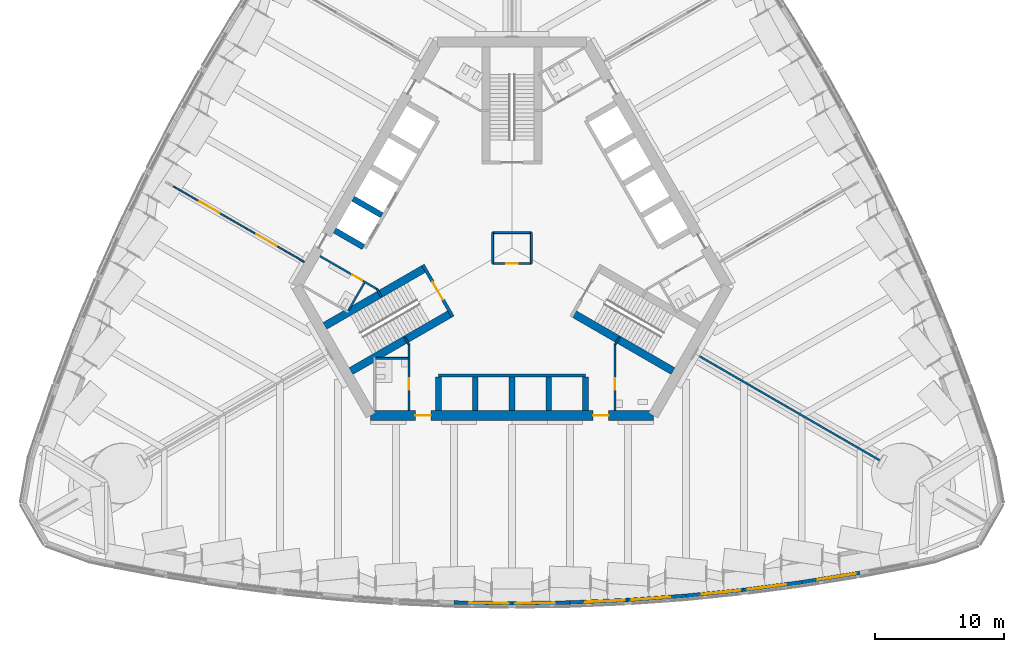
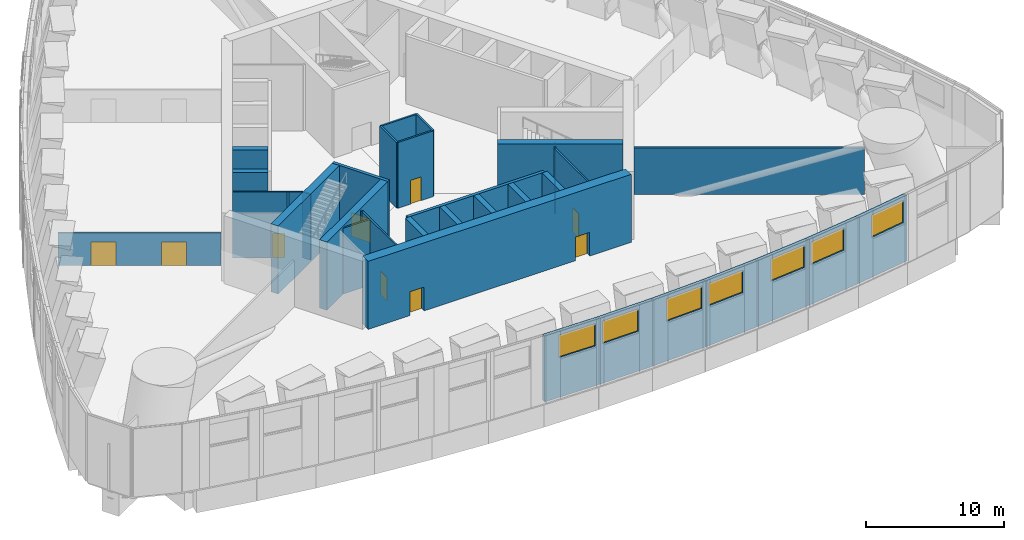
# One storey, part 8 of 28: 34 walls, 9 doors, 7 windows, 16 openings.
"""IFC4 building model written with IfcOpenShell, lengths in metres."""

from ifc_helpers import new_model, si_unit, direction, frame, frame_2d, origin, place, context, subcontext, project, spatial, rectangle, extrude, material, layer, layer_set, type_object, element, fill, save


model = new_model("IFC4")

# Units and contexts
model_context = context("Model", 3, precision=1e-05, world=origin(), true_north=direction((0.0, 1.0)))
body_context = subcontext(model_context, "Body", "Model", "MODEL_VIEW")
ifc_project = project(units=[si_unit("LENGTHUNIT", "METRE"), si_unit("AREAUNIT", "SQUARE_METRE"), si_unit("VOLUMEUNIT", "CUBIC_METRE"), si_unit("PLANEANGLEUNIT", "RADIAN"), si_unit("MASSUNIT", "GRAM", prefix="KILO")], contexts=[model_context])

# Site, building, storey
site_placement = place(None, origin())
site = spatial("IfcSite", under=ifc_project, at=site_placement, CompositionType="ELEMENT")
building_placement = place(site_placement, origin())
building = spatial("IfcBuilding", under=site, at=building_placement, Name="Trefoil Bronze Tower", CompositionType="ELEMENT")
storey_placement = place(building_placement, frame((0.0, 0.0, 92.10009765625)))
storey = spatial("IfcBuildingStorey", under=building, at=storey_placement, Name="L21", CompositionType="ELEMENT", Elevation=92.10009765625)

# Wall, opening, window
ifc_material_1 = material(Name="Concrete B80", Category="concrete")
ifc_layer_1 = layer(ifc_material_1, 0.300048828125)
ifc_layer_set_1 = layer_set([ifc_layer_1], Name="Belt wall 300")
wall_type_1 = type_object("IfcWallType", Name="Belt wall 300", PredefinedType="SOLIDWALL", material=ifc_layer_set_1)
wall_1_placement = place(storey_placement, frame((-4.5, -27.533447265625, 0.0), z_axis=(0.0, 0.0, 1.0), x_axis=(0.999895099088, -0.014484157523, 0.0)))
wall_1 = element("IfcWall", 1, at=wall_1_placement, inside=storey, type_object=wall_type_1, Name="Belt wall T1.8", PredefinedType="SOLIDWALL", context=body_context, shape_type="SweptSolid", body=[
    extrude(rectangle(XDim=4.50048828125, YDim=0.300048828125, at=frame_2d((2.250244140625, 0.0))), origin(), (0.0, 0.0, 1.0), 5.7998046875),
])
opening_1_placement = place(wall_1_placement, frame((1.200439453125, 0.0, 3.5)))
opening_1 = element("IfcOpeningElement", 2, at=opening_1_placement, cuts=wall_1, Name="Opening LV1", PredefinedType="OPENING", context=body_context, shape_type="SweptSolid", body=[
    extrude(rectangle(XDim=3.0, YDim=2.0, at=frame_2d((1.5, 1.0))), frame((0.0, 0.159912109375, 0.0), z_axis=(0.0, -1.0, 0.0), x_axis=(1.0, 0.0, 0.0)), (0.0, 0.0, 1.0), 0.320068359375),
])
ifc_material_2 = material(Name="Bronze-finish aluminium louvre", Category="aluminium")
window_type = type_object("IfcWindowType", Name="Plant louvre 3000", PartitioningType="SINGLE_PANEL", PredefinedType="USERDEFINED", material=ifc_material_2)
window_1_placement = place(opening_1_placement, origin())
window_1 = element("IfcWindow", 3, at=window_1_placement, inside=storey, type_object=window_type, Name="Plant louvre L21 F1.8.1", ObjectType="LOUVRE", OverallHeight=2.0, OverallWidth=3.0, PartitioningType="SINGLE_PANEL", PredefinedType="USERDEFINED", context=body_context, shape_type="SweptSolid", body=[
    extrude(rectangle(XDim=3.0, YDim=2.0, at=frame_2d((1.5, 1.0))), frame((0.0, 0.030029296875, 0.0), z_axis=(0.0, -1.0, 0.0), x_axis=(1.0, 0.0, 0.0)), (0.0, 0.0, 1.0), 0.06005859375),
])
fill(opening_1, window_1)

wall_2_placement = place(storey_placement, frame((0.0, -27.5986328125, 0.0), z_axis=(0.0, 0.0, 1.0), x_axis=(0.999895099088, 0.014484157523, 0.0)))
wall_2 = element("IfcWall", 4, at=wall_2_placement, inside=storey, type_object=wall_type_1, Name="Belt wall T1.9", PredefinedType="SOLIDWALL", context=body_context, shape_type="SweptSolid", body=[
    extrude(rectangle(XDim=4.50048828125, YDim=0.300048828125, at=frame_2d((2.250244140625, 0.0))), origin(), (0.0, 0.0, 1.0), 5.7998046875),
])
opening_2_placement = place(wall_2_placement, frame((0.300048828125, 0.0, 3.5)))
opening_2 = element("IfcOpeningElement", 5, at=opening_2_placement, cuts=wall_2, Name="Opening LV1", PredefinedType="OPENING", context=body_context, shape_type="SweptSolid", body=[
    extrude(rectangle(XDim=3.0, YDim=2.0, at=frame_2d((1.5, 1.0))), frame((0.0, 0.159912109375, 0.0), z_axis=(0.0, -1.0, 0.0), x_axis=(1.0, 0.0, 0.0)), (0.0, 0.0, 1.0), 0.320068359375),
])
window_2_placement = place(opening_2_placement, origin())
window_2 = element("IfcWindow", 6, at=window_2_placement, inside=storey, type_object=window_type, Name="Plant louvre L21 F1.9.1", ObjectType="LOUVRE", OverallHeight=2.0, OverallWidth=3.0, PartitioningType="SINGLE_PANEL", PredefinedType="USERDEFINED", context=body_context, shape_type="SweptSolid", body=[
    extrude(rectangle(XDim=3.0, YDim=2.0, at=frame_2d((1.5, 1.0))), frame((0.0, 0.030029296875, 0.0), z_axis=(0.0, -1.0, 0.0), x_axis=(1.0, 0.0, 0.0)), (0.0, 0.0, 1.0), 0.06005859375),
])
fill(opening_2, window_2)

wall_3_placement = place(storey_placement, frame((4.5, -27.533447265625, 0.0), z_axis=(0.0, 0.0, 1.0), x_axis=(0.999052370647, 0.043524254212, 0.0)))
wall_3 = element("IfcWall", 7, at=wall_3_placement, inside=storey, type_object=wall_type_1, Name="Belt wall T1.10", PredefinedType="SOLIDWALL", context=body_context, shape_type="SweptSolid", body=[
    extrude(rectangle(XDim=4.504150390625, YDim=0.300048828125, at=frame_2d((2.251953125, 0.0))), origin(), (0.0, 0.0, 1.0), 5.7998046875),
])
opening_3_placement = place(wall_3_placement, frame((1.204345703125, 0.0, 3.5)))
opening_3 = element("IfcOpeningElement", 8, at=opening_3_placement, cuts=wall_3, Name="Opening LV1", PredefinedType="OPENING", context=body_context, shape_type="SweptSolid", body=[
    extrude(rectangle(XDim=3.0, YDim=2.0, at=frame_2d((1.5, 1.0))), frame((0.0, 0.159912109375, 0.0), z_axis=(0.0, -1.0, 0.0), x_axis=(1.0, 0.0, 0.0)), (0.0, 0.0, 1.0), 0.320068359375),
])
window_3_placement = place(opening_3_placement, origin())
window_3 = element("IfcWindow", 9, at=window_3_placement, inside=storey, type_object=window_type, Name="Plant louvre L21 F1.10.1", ObjectType="LOUVRE", OverallHeight=2.0, OverallWidth=3.0, PartitioningType="SINGLE_PANEL", PredefinedType="USERDEFINED", context=body_context, shape_type="SweptSolid", body=[
    extrude(rectangle(XDim=3.0, YDim=2.0, at=frame_2d((1.5, 1.0))), frame((0.0, 0.030029296875, 0.0), z_axis=(0.0, -1.0, 0.0), x_axis=(1.0, 0.0, 0.0)), (0.0, 0.0, 1.0), 0.06005859375),
])
fill(opening_3, window_3)

wall_4_placement = place(storey_placement, frame((9.0, -27.33740234375, 0.0), z_axis=(0.0, 0.0, 1.0), x_axis=(0.997363894896, 0.072562119306, 0.0)))
wall_4 = element("IfcWall", 10, at=wall_4_placement, inside=storey, type_object=wall_type_1, Name="Belt wall T1.11", PredefinedType="SOLIDWALL", context=body_context, shape_type="SweptSolid", body=[
    extrude(rectangle(XDim=4.511962890625, YDim=0.300048828125, at=frame_2d((2.255859375, 0.0))), origin(), (0.0, 0.0, 1.0), 5.7998046875),
])
opening_4_placement = place(wall_4_placement, frame((0.300048828125, 0.0, 3.5)))
opening_4 = element("IfcOpeningElement", 11, at=opening_4_placement, cuts=wall_4, Name="Opening LV1", PredefinedType="OPENING", context=body_context, shape_type="SweptSolid", body=[
    extrude(rectangle(XDim=3.0, YDim=2.0, at=frame_2d((1.5, 1.0))), frame((0.0, 0.159912109375, 0.0), z_axis=(0.0, -1.0, 0.0), x_axis=(1.0, 0.0, 0.0)), (0.0, 0.0, 1.0), 0.320068359375),
])
window_4_placement = place(opening_4_placement, origin())
window_4 = element("IfcWindow", 12, at=window_4_placement, inside=storey, type_object=window_type, Name="Plant louvre L21 F1.11.1", ObjectType="LOUVRE", OverallHeight=2.0, OverallWidth=3.0, PartitioningType="SINGLE_PANEL", PredefinedType="USERDEFINED", context=body_context, shape_type="SweptSolid", body=[
    extrude(rectangle(XDim=3.0, YDim=2.0, at=frame_2d((1.5, 1.0))), frame((0.0, 0.030029296875, 0.0), z_axis=(0.0, -1.0, 0.0), x_axis=(1.0, 0.0, 0.0)), (0.0, 0.0, 1.0), 0.06005859375),
])
fill(opening_4, window_4)

wall_5_placement = place(storey_placement, frame((13.5, -27.010009765625, 0.0), z_axis=(0.0, 0.0, 1.0), x_axis=(0.994827688697, 0.101576915697, 0.0)))
wall_5 = element("IfcWall", 13, at=wall_5_placement, inside=storey, type_object=wall_type_1, Name="Belt wall T1.12", PredefinedType="SOLIDWALL", context=body_context, shape_type="SweptSolid", body=[
    extrude(rectangle(XDim=4.5234375, YDim=0.300048828125, at=frame_2d((2.26171875, 0.0))), origin(), (0.0, 0.0, 1.0), 5.7998046875),
])
opening_5_placement = place(wall_5_placement, frame((1.223388671875, 0.0, 3.5)))
opening_5 = element("IfcOpeningElement", 14, at=opening_5_placement, cuts=wall_5, Name="Opening LV1", PredefinedType="OPENING", context=body_context, shape_type="SweptSolid", body=[
    extrude(rectangle(XDim=3.0, YDim=2.0, at=frame_2d((1.5, 1.0))), frame((0.0, 0.159912109375, 0.0), z_axis=(0.0, -1.0, 0.0), x_axis=(1.0, 0.0, 0.0)), (0.0, 0.0, 1.0), 0.320068359375),
])
window_5_placement = place(opening_5_placement, origin())
window_5 = element("IfcWindow", 15, at=window_5_placement, inside=storey, type_object=window_type, Name="Plant louvre L21 F1.12.1", ObjectType="LOUVRE", OverallHeight=2.0, OverallWidth=3.0, PartitioningType="SINGLE_PANEL", PredefinedType="USERDEFINED", context=body_context, shape_type="SweptSolid", body=[
    extrude(rectangle(XDim=3.0, YDim=2.0, at=frame_2d((1.5, 1.0))), frame((0.0, 0.030029296875, 0.0), z_axis=(0.0, -1.0, 0.0), x_axis=(1.0, 0.0, 0.0)), (0.0, 0.0, 1.0), 0.06005859375),
])
fill(opening_5, window_5)

wall_6_placement = place(storey_placement, frame((18.0, -26.550537109375, 0.0), z_axis=(0.0, 0.0, 1.0), x_axis=(0.991442207947, 0.130546345415, 0.0)))
wall_6 = element("IfcWall", 16, at=wall_6_placement, inside=storey, type_object=wall_type_1, Name="Belt wall T1.13", PredefinedType="SOLIDWALL", context=body_context, shape_type="SweptSolid", body=[
    extrude(rectangle(XDim=4.538818359375, YDim=0.300048828125, at=frame_2d((2.26953125, 0.0))), origin(), (0.0, 0.0, 1.0), 5.7998046875),
])
opening_6_placement = place(wall_6_placement, frame((0.300048828125, 0.0, 3.5)))
opening_6 = element("IfcOpeningElement", 17, at=opening_6_placement, cuts=wall_6, Name="Opening LV1", PredefinedType="OPENING", context=body_context, shape_type="SweptSolid", body=[
    extrude(rectangle(XDim=3.0, YDim=2.0, at=frame_2d((1.5, 1.0))), frame((0.0, 0.159912109375, 0.0), z_axis=(0.0, -1.0, 0.0), x_axis=(1.0, 0.0, 0.0)), (0.0, 0.0, 1.0), 0.320068359375),
])
window_6_placement = place(opening_6_placement, origin())
window_6 = element("IfcWindow", 18, at=window_6_placement, inside=storey, type_object=window_type, Name="Plant louvre L21 F1.13.1", ObjectType="LOUVRE", OverallHeight=2.0, OverallWidth=3.0, PartitioningType="SINGLE_PANEL", PredefinedType="USERDEFINED", context=body_context, shape_type="SweptSolid", body=[
    extrude(rectangle(XDim=3.0, YDim=2.0, at=frame_2d((1.5, 1.0))), frame((0.0, 0.030029296875, 0.0), z_axis=(0.0, -1.0, 0.0), x_axis=(1.0, 0.0, 0.0)), (0.0, 0.0, 1.0), 0.06005859375),
])
fill(opening_6, window_6)

wall_7_placement = place(storey_placement, frame((22.5, -25.9580078125, 0.0), z_axis=(0.0, 0.0, 1.0), x_axis=(0.987181300889, 0.159602879593, 0.0)))
wall_7 = element("IfcWall", 19, at=wall_7_placement, inside=storey, type_object=wall_type_1, Name="Belt wall T1.14", PredefinedType="SOLIDWALL", context=body_context, shape_type="SweptSolid", body=[
    extrude(rectangle(XDim=4.558349609375, YDim=0.300048828125, at=frame_2d((2.279296875, 0.0))), origin(), (0.0, 0.0, 1.0), 5.7998046875),
])
opening_7_placement = place(wall_7_placement, frame((1.258544921875, 0.0, 3.5)))
opening_7 = element("IfcOpeningElement", 20, at=opening_7_placement, cuts=wall_7, Name="Opening LV1", PredefinedType="OPENING", context=body_context, shape_type="SweptSolid", body=[
    extrude(rectangle(XDim=3.0, YDim=2.0, at=frame_2d((1.5, 1.0))), frame((0.0, 0.159912109375, 0.0), z_axis=(0.0, -1.0, 0.0), x_axis=(1.0, 0.0, 0.0)), (0.0, 0.0, 1.0), 0.320068359375),
])
window_7_placement = place(opening_7_placement, origin())
window_7 = element("IfcWindow", 21, at=window_7_placement, inside=storey, type_object=window_type, Name="Plant louvre L21 F1.14.1", ObjectType="LOUVRE", OverallHeight=2.0, OverallWidth=3.0, PartitioningType="SINGLE_PANEL", PredefinedType="USERDEFINED", context=body_context, shape_type="SweptSolid", body=[
    extrude(rectangle(XDim=3.0, YDim=2.0, at=frame_2d((1.5, 1.0))), frame((0.0, 0.030029296875, 0.0), z_axis=(0.0, -1.0, 0.0), x_axis=(1.0, 0.0, 0.0)), (0.0, 0.0, 1.0), 0.06005859375),
])
fill(opening_7, window_7)

# Wall, openings, doors
ifc_material_3 = material(Name="Concrete B80", Category="concrete")
ifc_layer_2 = layer(ifc_material_3, 0.800048828125)
ifc_layer_set_2 = layer_set([ifc_layer_2], Name="Core wall 800")
wall_type_2 = type_object("IfcWallType", Name="Core wall 800", PredefinedType="SHEAR", material=ifc_layer_set_2)
wall_8_placement = place(storey_placement, frame((-10.9697265625, -13.0, 0.0), z_axis=(0.0, 0.0, 1.0), x_axis=(1.0, 0.0, 0.0)))
wall_8 = element("IfcWall", 22, at=wall_8_placement, inside=storey, type_object=wall_type_2, Name="Core long wall 1 L21", PredefinedType="SHEAR", context=body_context, shape_type="SweptSolid", body=[
    extrude(rectangle(XDim=21.939453125, YDim=0.800048828125, at=frame_2d((10.9697265625, 0.0))), origin(), (0.0, 0.0, 1.0), 6.0),
])
opening_8_placement = place(wall_8_placement, frame((17.269775390625, 0.0, 0.0)))
opening_8 = element("IfcOpeningElement", 23, at=opening_8_placement, cuts=wall_8, Name="Opening D2", PredefinedType="OPENING", context=body_context, shape_type="SweptSolid", body=[
    extrude(rectangle(XDim=1.199951171875, YDim=2.10009765625, at=frame_2d((0.60009765625, 1.050048828125))), frame((0.0, 0.409912109375, 0.0), z_axis=(0.0, -1.0, 0.0), x_axis=(1.0, 0.0, 0.0)), (0.0, 0.0, 1.0), 0.820068359375),
])
opening_9_placement = place(wall_8_placement, frame((3.4697265625, 0.0, 0.0)))
opening_9 = element("IfcOpeningElement", 24, at=opening_9_placement, cuts=wall_8, Name="Opening D2", PredefinedType="OPENING", context=body_context, shape_type="SweptSolid", body=[
    extrude(rectangle(XDim=1.199951171875, YDim=2.10009765625, at=frame_2d((0.60009765625, 1.050048828125))), frame((0.0, 0.409912109375, 0.0), z_axis=(0.0, -1.0, 0.0), x_axis=(1.0, 0.0, 0.0)), (0.0, 0.0, 1.0), 0.820068359375),
])
ifc_material_4 = material(Name="Steel door", Category="steel")
door_type_1 = type_object("IfcDoorType", Name="Lobby door 1200", OperationType="SINGLE_SWING_RIGHT", PredefinedType="DOOR", material=ifc_material_4)
door_1_placement = place(opening_8_placement, origin())
door_1 = element("IfcDoor", 25, at=door_1_placement, inside=storey, type_object=door_type_1, Name="Lobby door F1+ L21", OperationType="SINGLE_SWING_RIGHT", OverallHeight=2.10009765625, OverallWidth=1.199951171875, PredefinedType="DOOR", context=body_context, shape_type="SweptSolid", body=[
    extrude(rectangle(XDim=1.199951171875, YDim=2.10009765625, at=frame_2d((0.60009765625, 1.050048828125))), frame((0.0, 0.02490234375, 0.0), z_axis=(0.0, -1.0, 0.0), x_axis=(1.0, 0.0, 0.0)), (0.0, 0.0, 1.0), 0.050048828125),
])
fill(opening_8, door_1)
door_2_placement = place(opening_9_placement, origin())
door_2 = element("IfcDoor", 26, at=door_2_placement, inside=storey, type_object=door_type_1, Name="Lobby door F1- L21", OperationType="SINGLE_SWING_LEFT", OverallHeight=2.10009765625, OverallWidth=1.199951171875, PredefinedType="DOOR", context=body_context, shape_type="SweptSolid", body=[
    extrude(rectangle(XDim=1.199951171875, YDim=2.10009765625, at=frame_2d((0.60009765625, 1.050048828125))), frame((0.0, 0.02490234375, 0.0), z_axis=(0.0, -1.0, 0.0), x_axis=(1.0, 0.0, 0.0)), (0.0, 0.0, 1.0), 0.050048828125),
])
fill(opening_9, door_2)

ifc_material_5 = material(Name="Glazed partition", Category="glass")
ifc_layer_3 = layer(ifc_material_5, 0.1201171875)
ifc_layer_set_3 = layer_set([ifc_layer_3], Name="Glazed partition 120")
wall_type_3 = type_object("IfcWallType", Name="Glazed partition 120", PredefinedType="PARTITIONING", material=ifc_layer_set_3)
wall_9_placement = place(storey_placement, frame((-16.1220703125, -1.084228515625, 0.0), z_axis=(0.0, 0.0, 1.0), x_axis=(-0.866023947468, 0.500002522405, 0.0)))
wall_9 = element("IfcWall", 27, at=wall_9_placement, inside=storey, type_object=wall_type_3, Name="Partition F3 L21", PredefinedType="PARTITIONING", context=body_context, shape_type="SweptSolid", body=[
    extrude(rectangle(XDim=11.771484375, YDim=0.1201171875, at=frame_2d((5.8857421875, 0.0))), origin(), (0.0, 0.0, 1.0), 2.89990234375),
])
opening_10_placement = place(wall_9_placement, frame((2.5, 0.0, 0.0)))
opening_10 = element("IfcOpeningElement", 28, at=opening_10_placement, cuts=wall_9, Name="Opening D10", PredefinedType="OPENING", context=body_context, shape_type="SweptSolid", body=[
    extrude(rectangle(XDim=1.800048828125, YDim=2.10009765625, at=frame_2d((0.89990234375, 1.050048828125))), frame((0.0, 0.070068359375, 0.0), z_axis=(0.0, -1.0, 0.0), x_axis=(1.0, 0.0, 0.0)), (0.0, 0.0, 1.0), 0.14013671875),
])
opening_11_placement = place(wall_9_placement, frame((7.60009765625, 0.0, 0.0)))
opening_11 = element("IfcOpeningElement", 29, at=opening_11_placement, cuts=wall_9, Name="Opening D10", PredefinedType="OPENING", context=body_context, shape_type="SweptSolid", body=[
    extrude(rectangle(XDim=1.800048828125, YDim=2.10009765625, at=frame_2d((0.89990234375, 1.050048828125))), frame((0.0, 0.070068359375, 0.0), z_axis=(0.0, -1.0, 0.0), x_axis=(1.0, 0.0, 0.0)), (0.0, 0.0, 1.0), 0.14013671875),
])
ifc_material_6 = material(Name="Timber door", Category="wood")
door_type_2 = type_object("IfcDoorType", Name="Double door 1800", OperationType="DOUBLE_DOOR_SINGLE_SWING", PredefinedType="DOOR", material=ifc_material_6)
door_3_placement = place(opening_10_placement, frame((1.800048828125, 0.0, 0.0), z_axis=(0.0, 0.0, 1.0), x_axis=(-1.0, 0.0, 0.0)))
door_3 = element("IfcDoor", 30, at=door_3_placement, inside=storey, type_object=door_type_2, Name="Switchgear plant room door F3 L21", OperationType="DOUBLE_DOOR_SINGLE_SWING", OverallHeight=2.10009765625, OverallWidth=1.800048828125, PredefinedType="DOOR", context=body_context, shape_type="SweptSolid", body=[
    extrude(rectangle(XDim=1.800048828125, YDim=2.10009765625, at=frame_2d((0.89990234375, 1.050048828125))), frame((0.0, 0.02490234375, 0.0), z_axis=(0.0, -1.0, 0.0), x_axis=(1.0, 0.0, 0.0)), (0.0, 0.0, 1.0), 0.050048828125),
])
fill(opening_10, door_3)
door_4_placement = place(opening_11_placement, frame((1.800048828125, 0.0, 0.0), z_axis=(0.0, 0.0, 1.0), x_axis=(-1.0, 0.0, 0.0)))
door_4 = element("IfcDoor", 31, at=door_4_placement, inside=storey, type_object=door_type_2, Name="Switchgear plant room door F3 L21", OperationType="DOUBLE_DOOR_SINGLE_SWING", OverallHeight=2.10009765625, OverallWidth=1.800048828125, PredefinedType="DOOR", context=body_context, shape_type="SweptSolid", body=[
    extrude(rectangle(XDim=1.800048828125, YDim=2.10009765625, at=frame_2d((0.89990234375, 1.050048828125))), frame((0.0, 0.02490234375, 0.0), z_axis=(0.0, -1.0, 0.0), x_axis=(1.0, 0.0, 0.0)), (0.0, 0.0, 1.0), 0.050048828125),
])
fill(opening_11, door_4)

# Walls
ifc_material_7 = material(Name="Concrete B80", Category="concrete")
ifc_layer_4 = layer(ifc_material_7, 0.449951171875)
ifc_layer_set_4 = layer_set([ifc_layer_4], Name="Outrigger shaft wall 450")
wall_type_4 = type_object("IfcWallType", Name="Outrigger shaft wall 450", PredefinedType="SHEAR", material=ifc_layer_set_4)
for number, where, z_axis, x_axis, name in (
    (32, (-5.699951171875, -10.02490234375, 0.0), (0.0, 0.0, 1.0), (0.0, -1.0, 0.0), "Lift shaft side wall A0 L21"),
    (33, (-2.85009765625, -10.02490234375, 0.0), (0.0, 0.0, 1.0), (0.0, -1.0, 0.0), "Lift shaft side wall A1 L21"),
    (34, (0.0, -10.02490234375, 0.0), (0.0, 0.0, 1.0), (0.0, -1.0, 0.0), "Lift shaft side wall A2 L21"),
    (35, (2.85009765625, -10.02490234375, 0.0), (0.0, 0.0, 1.0), (0.0, -1.0, 0.0), "Lift shaft side wall A3 L21"),
    (36, (5.699951171875, -10.02490234375, 0.0), (0.0, 0.0, 1.0), (0.0, -1.0, 0.0), "Lift shaft side wall A4 L21"),
):
    element("IfcWall", number, at=place(storey_placement, frame(where, z_axis=z_axis, x_axis=x_axis)), inside=storey, type_object=wall_type_4, Name=name, PredefinedType="SHEAR", context=body_context, shape_type="SweptSolid", body=[
        extrude(rectangle(XDim=2.5751953125, YDim=0.449951171875, at=frame_2d((1.28759765625, 0.0))), origin(), (0.0, 0.0, 1.0), 6.0),
    ])
for number, where, z_axis, x_axis, name in (
    (37, (-10.10693359375, 2.54443359375, 0.0), (0.0, 0.0, 1.0), (-0.866046643894, 0.499963209246, 0.0), "Lift shaft side wall C3 L21"),
    (38, (-11.531982421875, 0.076171875, 0.0), (0.0, 0.0, 1.0), (-0.866005588531, 0.500034319456, 0.0), "Lift shaft side wall C4 L21"),
):
    element("IfcWall", number, at=place(storey_placement, frame(where, z_axis=z_axis, x_axis=x_axis)), inside=storey, type_object=wall_type_4, Name=name, PredefinedType="SHEAR", context=body_context, shape_type="SweptSolid", body=[
        extrude(rectangle(XDim=2.574951171875, YDim=0.449951171875, at=frame_2d((1.28759765625, 0.0))), origin(), (0.0, 0.0, 1.0), 6.0),
    ])

# Wall, opening, door
ifc_material_8 = material(Name="Gypsum board on steel studs", Category="steel")
ifc_layer_5 = layer(ifc_material_8, 0.14990234375)
ifc_layer_set_5 = layer_set([ifc_layer_5], Name="Partition 150")
wall_type_5 = type_object("IfcWallType", Name="Partition 150", PredefinedType="PARTITIONING", material=ifc_layer_set_5)
wall_10_placement = place(storey_placement, frame((8.0, -7.5, 0.0), z_axis=(0.0, 0.0, 1.0), x_axis=(0.0, -1.0, 0.0)))
wall_10 = element("IfcWall", 39, at=wall_10_placement, inside=storey, type_object=wall_type_5, Name="Passage wall F1+ L21", PredefinedType="PARTITIONING", context=body_context, shape_type="SweptSolid", body=[
    extrude(rectangle(XDim=5.10009765625, YDim=0.14990234375, at=frame_2d((2.550048828125, 0.0))), origin(), (0.0, 0.0, 1.0), 5.7998046875),
])
opening_12_placement = place(wall_10_placement, frame((2.60009765625, 0.0, 0.0)))
opening_12 = element("IfcOpeningElement", 40, at=opening_12_placement, cuts=wall_10, Name="Opening D3", PredefinedType="OPENING", context=body_context, shape_type="SweptSolid", body=[
    extrude(rectangle(XDim=0.89990234375, YDim=2.10009765625, at=frame_2d((0.449951171875, 1.050048828125))), frame((0.0, 0.0849609375, 0.0), z_axis=(0.0, -1.0, 0.0), x_axis=(1.0, 0.0, 0.0)), (0.0, 0.0, 1.0), 0.169921875),
])
ifc_material_9 = material(Name="Timber door", Category="wood")
door_type_3 = type_object("IfcDoorType", Name="WC door 900", OperationType="SINGLE_SWING_LEFT", PredefinedType="DOOR", material=ifc_material_9)
door_5_placement = place(opening_12_placement, origin())
door_5 = element("IfcDoor", 41, at=door_5_placement, inside=storey, type_object=door_type_3, Name="Accessible WC door L21", OperationType="SINGLE_SWING_RIGHT", OverallHeight=2.10009765625, OverallWidth=0.89990234375, PredefinedType="DOOR", context=body_context, shape_type="SweptSolid", body=[
    extrude(rectangle(XDim=0.89990234375, YDim=2.10009765625, at=frame_2d((0.449951171875, 1.050048828125))), frame((0.0, 0.02490234375, 0.0), z_axis=(0.0, -1.0, 0.0), x_axis=(1.0, 0.0, 0.0)), (0.0, 0.0, 1.0), 0.050048828125),
])
fill(opening_12, door_5)

wall_11_placement = place(storey_placement, frame((-8.0, -7.5, 0.0), z_axis=(0.0, 0.0, 1.0), x_axis=(0.0, -1.0, 0.0)))
wall_11 = element("IfcWall", 42, at=wall_11_placement, inside=storey, type_object=wall_type_5, Name="Passage wall F1- L21", PredefinedType="PARTITIONING", context=body_context, shape_type="SweptSolid", body=[
    extrude(rectangle(XDim=5.10009765625, YDim=0.14990234375, at=frame_2d((2.550048828125, 0.0))), origin(), (0.0, 0.0, 1.0), 5.7998046875),
])
opening_13_placement = place(wall_11_placement, frame((2.60009765625, 0.0, 0.0)))
opening_13 = element("IfcOpeningElement", 43, at=opening_13_placement, cuts=wall_11, Name="Opening D3", PredefinedType="OPENING", context=body_context, shape_type="SweptSolid", body=[
    extrude(rectangle(XDim=0.89990234375, YDim=2.10009765625, at=frame_2d((0.449951171875, 1.050048828125))), frame((0.0, 0.0849609375, 0.0), z_axis=(0.0, -1.0, 0.0), x_axis=(1.0, 0.0, 0.0)), (0.0, 0.0, 1.0), 0.169921875),
])
door_6_placement = place(opening_13_placement, frame((0.89990234375, 0.0, 0.0), z_axis=(0.0, 0.0, 1.0), x_axis=(-1.0, 0.0, 0.0)))
door_6 = element("IfcDoor", 44, at=door_6_placement, inside=storey, type_object=door_type_3, Name="WC (women) door L21", OperationType="SINGLE_SWING_RIGHT", OverallHeight=2.10009765625, OverallWidth=0.89990234375, PredefinedType="DOOR", context=body_context, shape_type="SweptSolid", body=[
    extrude(rectangle(XDim=0.89990234375, YDim=2.10009765625, at=frame_2d((0.449951171875, 1.050048828125))), frame((0.0, 0.02490234375, 0.0), z_axis=(0.0, -1.0, 0.0), x_axis=(1.0, 0.0, 0.0)), (0.0, 0.0, 1.0), 0.050048828125),
])
fill(opening_13, door_6)

wall_12_placement = place(storey_placement, frame((-10.4951171875, -3.17822265625, 0.0), z_axis=(0.0, 0.0, 1.0), x_axis=(-0.86602216432, 0.500005610874, 0.0)))
wall_12 = element("IfcWall", 45, at=wall_12_placement, inside=storey, type_object=wall_type_5, Name="Passage wall F3+ L21", PredefinedType="PARTITIONING", context=body_context, shape_type="SweptSolid", body=[
    extrude(rectangle(XDim=5.10009765625, YDim=0.14990234375, at=frame_2d((2.550048828125, 0.0))), origin(), (0.0, 0.0, 1.0), 5.7998046875),
])
opening_14_placement = place(wall_12_placement, frame((1.300048828125, 0.0, 0.0)))
opening_14 = element("IfcOpeningElement", 46, at=opening_14_placement, cuts=wall_12, Name="Opening D3", PredefinedType="OPENING", context=body_context, shape_type="SweptSolid", body=[
    extrude(rectangle(XDim=0.89990234375, YDim=2.10009765625, at=frame_2d((0.449951171875, 1.050048828125))), frame((0.0, 0.0849609375, 0.0), z_axis=(0.0, -1.0, 0.0), x_axis=(1.0, 0.0, 0.0)), (0.0, 0.0, 1.0), 0.169921875),
])
door_7_placement = place(opening_14_placement, origin())
door_7 = element("IfcDoor", 47, at=door_7_placement, inside=storey, type_object=door_type_3, Name="WC (men) door L21", OperationType="SINGLE_SWING_LEFT", OverallHeight=2.10009765625, OverallWidth=0.89990234375, PredefinedType="DOOR", context=body_context, shape_type="SweptSolid", body=[
    extrude(rectangle(XDim=0.89990234375, YDim=2.10009765625, at=frame_2d((0.449951171875, 1.050048828125))), frame((0.0, 0.02490234375, 0.0), z_axis=(0.0, -1.0, 0.0), x_axis=(1.0, 0.0, 0.0)), (0.0, 0.0, 1.0), 0.050048828125),
])
fill(opening_14, door_7)

# Walls
for number, where, z_axis, x_axis, name in (
    (48, (8.0, -7.5, 0.0), (0.0, 0.0, 1.0), (0.499842556608, 0.866116284689, 0.0), "WC wall ST1-1 L21"),
    (49, (-10.4951171875, -3.17822265625, 0.0), (0.0, 0.0, 1.0), (0.499842556608, -0.866116284689, 0.0), "WC wall ST3-1 L21"),
    (50, (-8.0, -7.5, 0.0), (0.0, 0.0, 1.0), (-0.499842556608, 0.866116284689, 0.0), "WC wall ST3+1 L21"),
):
    element("IfcWall", number, at=place(storey_placement, frame(where, z_axis=z_axis, x_axis=x_axis)), inside=storey, type_object=wall_type_5, Name=name, PredefinedType="PARTITIONING", context=body_context, shape_type="SweptSolid", body=[
        extrude(rectangle(XDim=0.645263671875, YDim=0.14990234375, at=frame_2d((0.32275390625, 0.0))), origin(), (0.0, 0.0, 1.0), 5.7998046875),
    ])
wall_13_placement = place(storey_placement, frame((-11.463623046875, -2.70556640625, 0.0), z_axis=(0.0, 0.0, 1.0), x_axis=(-0.50001992892, -0.866013897511, 0.0)))
element("IfcWall", 51, at=wall_13_placement, inside=storey, type_object=wall_type_5, Name="WC partition WC (men) L21", PredefinedType="PARTITIONING", context=body_context, shape_type="SweptSolid", body=[
    extrude(rectangle(XDim=2.51025390625, YDim=0.14990234375, at=frame_2d((1.255126953125, 0.0))), origin(), (0.0, 0.0, 1.0), 5.7998046875),
])
wall_14_placement = place(storey_placement, frame((-8.074951171875, -8.574951171875, 0.0), z_axis=(0.0, 0.0, 1.0), x_axis=(-1.0, 0.0, 0.0)))
element("IfcWall", 52, at=wall_14_placement, inside=storey, type_object=wall_type_5, Name="WC partition WC (women) L21", PredefinedType="PARTITIONING", context=body_context, shape_type="SweptSolid", body=[
    extrude(rectangle(XDim=2.510009765625, YDim=0.14990234375, at=frame_2d((1.2548828125, 0.0))), origin(), (0.0, 0.0, 1.0), 5.7998046875),
])
ifc_material_10 = material(Name="Gypsum board on steel studs", Category="steel")
ifc_layer_6 = layer(ifc_material_10, 0.14990234375)
ifc_layer_set_6 = layer_set([ifc_layer_6], Name="Party wall 150")
wall_type_6 = type_object("IfcWallType", Name="Party wall 150", PredefinedType="PARTITIONING", material=ifc_layer_set_6)
wall_15_placement = place(storey_placement, frame((14.202880859375, -8.199951171875, 0.0), z_axis=(0.0, 0.0, 1.0), x_axis=(0.866024668836, -0.500001272966, 0.0)))
element("IfcWall", 53, at=wall_15_placement, inside=storey, type_object=wall_type_6, Name="Party wall K1 L21", PredefinedType="PARTITIONING", context=body_context, shape_type="SweptSolid", body=[
    extrude(rectangle(XDim=16.64990234375, YDim=0.14990234375, at=frame_2d((8.324951171875, 0.0))), origin(), (0.0, 0.0, 1.0), 4.099853515625),
])

# Wall, opening, door
ifc_material_11 = material(Name="Gypsum board on steel studs", Category="steel")
ifc_layer_7 = layer(ifc_material_11, 0.14990234375)
ifc_layer_set_7 = layer_set([ifc_layer_7], Name="Riser wall 150")
wall_type_7 = type_object("IfcWallType", Name="Riser wall 150", PredefinedType="PARTITIONING", material=ifc_layer_set_7)
wall_16_placement = place(storey_placement, frame((-1.5, -1.199951171875, 0.0), z_axis=(0.0, 0.0, 1.0), x_axis=(1.0, 0.0, 0.0)))
wall_16 = element("IfcWall", 54, at=wall_16_placement, inside=storey, type_object=wall_type_7, Name="Riser wall L21", PredefinedType="PARTITIONING", context=body_context, shape_type="SweptSolid", body=[
    extrude(rectangle(XDim=3.0, YDim=0.14990234375, at=frame_2d((1.5, 0.0))), origin(), (0.0, 0.0, 1.0), 5.7998046875),
])
opening_15_placement = place(wall_16_placement, frame((1.050048828125, 0.0, 0.0)))
opening_15 = element("IfcOpeningElement", 55, at=opening_15_placement, cuts=wall_16, Name="Opening D4", PredefinedType="OPENING", context=body_context, shape_type="SweptSolid", body=[
    extrude(rectangle(XDim=0.89990234375, YDim=2.10009765625, at=frame_2d((0.449951171875, 1.050048828125))), frame((0.0, 0.0849609375, 0.0), z_axis=(0.0, -1.0, 0.0), x_axis=(1.0, 0.0, 0.0)), (0.0, 0.0, 1.0), 0.169921875),
])
ifc_material_12 = material(Name="Steel door", Category="steel")
door_type_4 = type_object("IfcDoorType", Name="Riser door 900", OperationType="SINGLE_SWING_LEFT", PredefinedType="DOOR", material=ifc_material_12)
door_8_placement = place(opening_15_placement, frame((0.89990234375, 0.0, 0.0), z_axis=(0.0, 0.0, 1.0), x_axis=(-1.0, 0.0, 0.0)))
door_8 = element("IfcDoor", 56, at=door_8_placement, inside=storey, type_object=door_type_4, Name="Riser door L21", OperationType="SINGLE_SWING_LEFT", OverallHeight=2.10009765625, OverallWidth=0.89990234375, PredefinedType="DOOR", context=body_context, shape_type="SweptSolid", body=[
    extrude(rectangle(XDim=0.89990234375, YDim=2.10009765625, at=frame_2d((0.449951171875, 1.050048828125))), frame((0.0, 0.02490234375, 0.0), z_axis=(0.0, -1.0, 0.0), x_axis=(1.0, 0.0, 0.0)), (0.0, 0.0, 1.0), 0.050048828125),
])
fill(opening_15, door_8)

# Walls
wall_17_placement = place(storey_placement, frame((1.5, -1.199951171875, 0.0), z_axis=(0.0, 0.0, 1.0), x_axis=(0.0, 1.0, 0.0)))
element("IfcWall", 57, at=wall_17_placement, inside=storey, type_object=wall_type_7, Name="Riser wall L21", PredefinedType="PARTITIONING", context=body_context, shape_type="SweptSolid", body=[
    extrude(rectangle(XDim=2.39990234375, YDim=0.14990234375, at=frame_2d((1.199951171875, 0.0))), origin(), (0.0, 0.0, 1.0), 5.7998046875),
])
wall_18_placement = place(storey_placement, frame((1.5, 1.199951171875, 0.0), z_axis=(0.0, 0.0, 1.0), x_axis=(-1.0, 0.0, 0.0)))
element("IfcWall", 58, at=wall_18_placement, inside=storey, type_object=wall_type_7, Name="Riser wall L21", PredefinedType="PARTITIONING", context=body_context, shape_type="SweptSolid", body=[
    extrude(rectangle(XDim=3.0, YDim=0.14990234375, at=frame_2d((1.5, 0.0))), origin(), (0.0, 0.0, 1.0), 5.7998046875),
])
wall_19_placement = place(storey_placement, frame((-1.5, 1.199951171875, 0.0), z_axis=(0.0, 0.0, 1.0), x_axis=(0.0, -1.0, 0.0)))
element("IfcWall", 59, at=wall_19_placement, inside=storey, type_object=wall_type_7, Name="Riser wall L21", PredefinedType="PARTITIONING", context=body_context, shape_type="SweptSolid", body=[
    extrude(rectangle(XDim=2.39990234375, YDim=0.14990234375, at=frame_2d((1.199951171875, 0.0))), origin(), (0.0, 0.0, 1.0), 5.7998046875),
])
ifc_material_13 = material(Name="Concrete B80", Category="concrete")
ifc_layer_8 = layer(ifc_material_13, 0.25)
ifc_layer_set_8 = layer_set([ifc_layer_8], Name="Shaft wall 250")
wall_type_8 = type_object("IfcWallType", Name="Shaft wall 250", PredefinedType="SHEAR", material=ifc_layer_set_8)
wall_20_placement = place(storey_placement, frame((-5.699951171875, -9.89990234375, 0.0), z_axis=(0.0, 0.0, 1.0), x_axis=(1.0, 0.0, 0.0)))
element("IfcWall", 60, at=wall_20_placement, inside=storey, type_object=wall_type_8, Name="Lift shaft front wall A L21", PredefinedType="SHEAR", context=body_context, shape_type="SweptSolid", body=[
    extrude(rectangle(XDim=11.39990234375, YDim=0.25, at=frame_2d((5.699951171875, 0.0))), origin(), (0.0, 0.0, 1.0), 6.0),
])

# Wall, opening, door
wall_21_placement = place(storey_placement, frame((-6.921630859375, -1.3115234375, 0.0), z_axis=(0.0, 0.0, 1.0), x_axis=(0.499984536904, -0.866034331223, 0.0)))
wall_21 = element("IfcWall", 61, at=wall_21_placement, inside=storey, type_object=wall_type_8, Name="Stair end wall ST3 L21", PredefinedType="SHEAR", context=body_context, shape_type="SweptSolid", body=[
    extrude(rectangle(XDim=4.650146484375, YDim=0.25, at=frame_2d((2.3251953125, 0.0))), origin(), (0.0, 0.0, 1.0), 6.0),
])
opening_16_placement = place(wall_21_placement, frame((1.52490234375, 0.0, 0.0)))
opening_16 = element("IfcOpeningElement", 62, at=opening_16_placement, cuts=wall_21, Name="Opening D1", PredefinedType="OPENING", context=body_context, shape_type="SweptSolid", body=[
    extrude(rectangle(XDim=1.60009765625, YDim=2.10009765625, at=frame_2d((0.800048828125, 1.050048828125))), frame((0.0, 0.135009765625, 0.0), z_axis=(0.0, -1.0, 0.0), x_axis=(1.0, 0.0, 0.0)), (0.0, 0.0, 1.0), 0.27001953125),
])
ifc_material_14 = material(Name="Steel door", Category="steel")
door_type_5 = type_object("IfcDoorType", Name="Stair door 1600", OperationType="DOUBLE_DOOR_SINGLE_SWING", PredefinedType="DOOR", material=ifc_material_14)
door_9_placement = place(opening_16_placement, frame((1.60009765625, 0.0, 0.0), z_axis=(0.0, 0.0, 1.0), x_axis=(-1.0, 0.0, 0.0)))
door_9 = element("IfcDoor", 63, at=door_9_placement, inside=storey, type_object=door_type_5, Name="Stair door ST3 L21", OperationType="DOUBLE_DOOR_SINGLE_SWING", OverallHeight=2.10009765625, OverallWidth=1.60009765625, PredefinedType="DOOR", context=body_context, shape_type="SweptSolid", body=[
    extrude(rectangle(XDim=1.60009765625, YDim=2.10009765625, at=frame_2d((0.800048828125, 1.050048828125))), frame((0.0, 0.02490234375, 0.0), z_axis=(0.0, -1.0, 0.0), x_axis=(1.0, 0.0, 0.0)), (0.0, 0.0, 1.0), 0.050048828125),
])
fill(opening_16, door_9)

# Walls
ifc_material_15 = material(Name="Concrete B80", Category="concrete")
ifc_layer_9 = layer(ifc_material_15, 0.60009765625)
ifc_layer_set_9 = layer_set([ifc_layer_9], Name="Stair wall 600")
wall_type_9 = type_object("IfcWallType", Name="Stair wall 600", PredefinedType="SHEAR", material=ifc_layer_set_9)
for number, where, z_axis, x_axis, name in (
    (64, (4.638427734375, -5.01611328125, 0.0), (0.0, 0.0, 1.0), (0.866019375473, -0.500010441196, 0.0), "Stair wall ST1 L21"),
    (65, (-6.663330078125, -1.5087890625, 0.0), (0.0, 0.0, 1.0), (-0.866019375473, -0.500010441196, 0.0), "Stair wall ST3 L21"),
    (66, (-4.638427734375, -5.01611328125, 0.0), (0.0, 0.0, 1.0), (-0.866019375473, -0.500010441196, 0.0), "Stair wall ST3 L21"),
):
    element("IfcWall", number, at=place(storey_placement, frame(where, z_axis=z_axis, x_axis=x_axis)), inside=storey, type_object=wall_type_9, Name=name, PredefinedType="SHEAR", context=body_context, shape_type="SweptSolid", body=[
        extrude(rectangle(XDim=9.074951171875, YDim=0.60009765625, at=frame_2d((4.53759765625, 0.0))), origin(), (0.0, 0.0, 1.0), 6.0),
    ])

save(model, "model.ifc")
